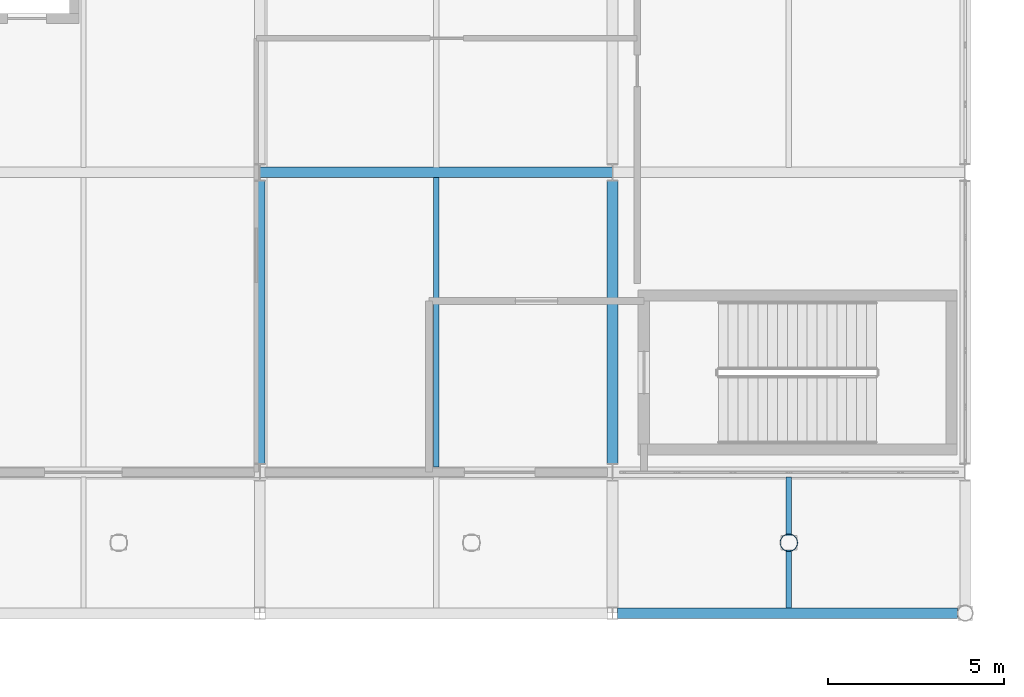
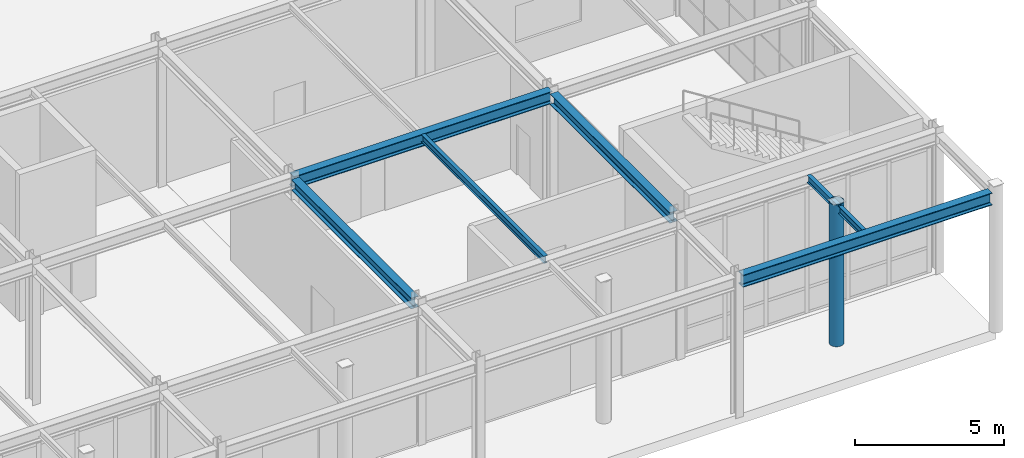
# One storey, part 83 of 146: 6 beams, 1 member.
"""IFC4 building model written with IfcOpenShell, lengths in metres."""

from ifc_helpers import new_model, si_unit, direction, frame, origin, origin_2d, place, context, subcontext, project, spatial, hollow_circle, i_section, extrude, material, material_profile, profile_set, type_object, element, save


model = new_model("IFC4")

# Units and contexts
model_context = context("Model", 3, precision=1e-05, world=origin(), true_north=direction((0.0, 1.0)))
body_context = subcontext(model_context, "Body", "Model", "MODEL_VIEW")
ifc_project = project(units=[si_unit("LENGTHUNIT", "METRE"), si_unit("AREAUNIT", "SQUARE_METRE"), si_unit("VOLUMEUNIT", "CUBIC_METRE"), si_unit("PLANEANGLEUNIT", "RADIAN"), si_unit("MASSUNIT", "GRAM", prefix="KILO")], contexts=[model_context])

# Site, building, storey
site_placement = place(None, origin())
site = spatial("IfcSite", under=ifc_project, at=site_placement, CompositionType="ELEMENT")
building_placement = place(site_placement, origin())
building = spatial("IfcBuilding", under=site, at=building_placement, Name="Kaldris Quays Convention Centre", CompositionType="ELEMENT")
storey_placement = place(building_placement, origin())
storey = spatial("IfcBuildingStorey", under=building, at=storey_placement, Name="L00", CompositionType="ELEMENT", Elevation=0.0)

# Beams
ifc_material_1 = material(Name="Steel S355J2", Category="steel")
ifc_material_profile_1 = material_profile(ifc_material_1, i_section(OverallWidth=0.300048828125, OverallDepth=0.5, WebThickness=0.014404296875, FlangeThickness=0.028076171875, FilletRadius=0.027099609375, at=origin_2d()), Name="HEB 500")
ifc_profile_set_1 = profile_set([ifc_material_profile_1], Name="Steel S355J2")
beam_type_1 = type_object("IfcBeamType", Name="STRUCTURAL BEAM BM06", PredefinedType="BEAM", material=ifc_profile_set_1)
beam_1_placement = place(storey_placement, frame((194.14404296875, 16.0, 5.4951171875), z_axis=(1.0, 0.0, 0.0), x_axis=(0.0, 1.0, 0.0)))
element("IfcBeam", 1, at=beam_1_placement, inside=storey, type_object=beam_type_1, Name="L00 Girder BM06 5", PredefinedType="BEAM", context=body_context, shape_type="SweptSolid", body=[
    extrude(i_section(OverallWidth=0.300048828125, OverallDepth=0.5, WebThickness=0.014404296875, FlangeThickness=0.028076171875, FilletRadius=0.027099609375, at=origin_2d()), origin(), (0.0, 0.0, 1.0), 9.633544921875),
])
beam_2_placement = place(storey_placement, frame((184.001220703125, 28.5, 5.492919921875), z_axis=(1.0, 0.0, 0.0), x_axis=(0.0, 1.0, 0.0)))
element("IfcBeam", 2, at=beam_2_placement, inside=storey, type_object=beam_type_1, Name="L00 Girder BM06 14", PredefinedType="BEAM", context=body_context, shape_type="SweptSolid", body=[
    extrude(i_section(OverallWidth=0.300048828125, OverallDepth=0.5, WebThickness=0.014404296875, FlangeThickness=0.028076171875, FilletRadius=0.027099609375, at=origin_2d()), origin(), (0.0, 0.0, 1.0), 9.99755859375),
])
ifc_material_profile_2 = material_profile(ifc_material_1, i_section(OverallWidth=0.300048828125, OverallDepth=0.43994140625, WebThickness=0.011474609375, FlangeThickness=0.02099609375, FilletRadius=0.027099609375, at=origin_2d()), Name="HEA 450")
ifc_profile_set_2 = profile_set([ifc_material_profile_2], Name="Steel S355J2")
beam_type_2 = type_object("IfcBeamType", Name="STRUCTURAL BEAM BM14", PredefinedType="BEAM", material=ifc_profile_set_2)
for number, where, z_axis, x_axis, name in (
    (3, (184.0, 20.243896484375, 5.52294921875), (0.0, 1.0, 0.0), (-1.0, 0.0, 0.0), "L00 Girder BM14 31"),
    (4, (194.0, 20.243896484375, 5.52294921875), (0.0, 1.0, 0.0), (-1.0, 0.0, 0.0), "L00 Girder BM14 34"),
):
    element("IfcBeam", number, at=place(storey_placement, frame(where, z_axis=z_axis, x_axis=x_axis)), inside=storey, type_object=beam_type_2, Name=name, PredefinedType="BEAM", context=body_context, shape_type="SweptSolid", body=[
        extrude(i_section(OverallWidth=0.300048828125, OverallDepth=0.43994140625, WebThickness=0.011474609375, FlangeThickness=0.02099609375, FilletRadius=0.027099609375, at=origin_2d()), origin(), (0.0, 0.0, 1.0), 8.01220703125),
    ])
ifc_material_profile_3 = material_profile(ifc_material_1, i_section(OverallWidth=0.14990234375, OverallDepth=0.300048828125, WebThickness=0.007080078125, FlangeThickness=0.0107421875, FilletRadius=0.014892578125, at=origin_2d()), Name="IPE 300")
ifc_profile_set_3 = profile_set([ifc_material_profile_3], Name="Steel S355J2")
beam_type_3 = type_object("IfcBeamType", Name="STRUCTURAL BEAM JT04", PredefinedType="JOIST", material=ifc_profile_set_3)
beam_3_placement = place(storey_placement, frame((199.0, 16.14404296875, 5.593017578125), z_axis=(0.0, 1.0, 0.0), x_axis=(-1.0, 0.0, 0.0)))
element("IfcBeam", 5, at=beam_3_placement, inside=storey, type_object=beam_type_3, Name="L00 Secondary Joist JT04 5", PredefinedType="JOIST", context=body_context, shape_type="SweptSolid", body=[
    extrude(i_section(OverallWidth=0.14990234375, OverallDepth=0.300048828125, WebThickness=0.007080078125, FlangeThickness=0.0107421875, FilletRadius=0.014892578125, at=origin_2d()), origin(), (0.0, 0.0, 1.0), 3.7119140625),
])
beam_4_placement = place(storey_placement, frame((189.0, 20.14404296875, 5.593017578125), z_axis=(0.0, 1.0, 0.0), x_axis=(-1.0, 0.0, 0.0)))
element("IfcBeam", 6, at=beam_4_placement, inside=storey, type_object=beam_type_3, Name="L00 Secondary Joist JT04 9", PredefinedType="JOIST", context=body_context, shape_type="SweptSolid", body=[
    extrude(i_section(OverallWidth=0.14990234375, OverallDepth=0.300048828125, WebThickness=0.007080078125, FlangeThickness=0.0107421875, FilletRadius=0.014892578125, at=origin_2d()), origin(), (0.0, 0.0, 1.0), 8.2119140625),
])

# Member
ifc_material_2 = material(Name="Steel S355J2H", Category="steel")
ifc_material_profile_4 = material_profile(ifc_material_2, hollow_circle(Radius=0.25390625, WallThickness=0.02001953125, at=origin_2d()), Name="CHS 508x20")
ifc_profile_set_4 = profile_set([ifc_material_profile_4], Name="Steel S355J2H")
member_type = type_object("IfcMemberType", Name="STRUCTURAL MEMBER MP01", PredefinedType="POST", material=ifc_profile_set_4)
member_placement = place(storey_placement, frame((199.0, 18.0, 0.0), z_axis=(0.0, 0.0, 1.0), x_axis=(1.0, 0.0, 0.0)))
element("IfcMember", 7, at=member_placement, inside=storey, type_object=member_type, Name="L00 Riverfront Colonnade Tubular Post MP01 5", PredefinedType="POST", context=body_context, shape_type="SweptSolid", body=[
    extrude(hollow_circle(Radius=0.25390625, WallThickness=0.02001953125, at=origin_2d()), origin(), (0.0, 0.0, 1.0), 5.794921875),
])

save(model, "model.ifc")
